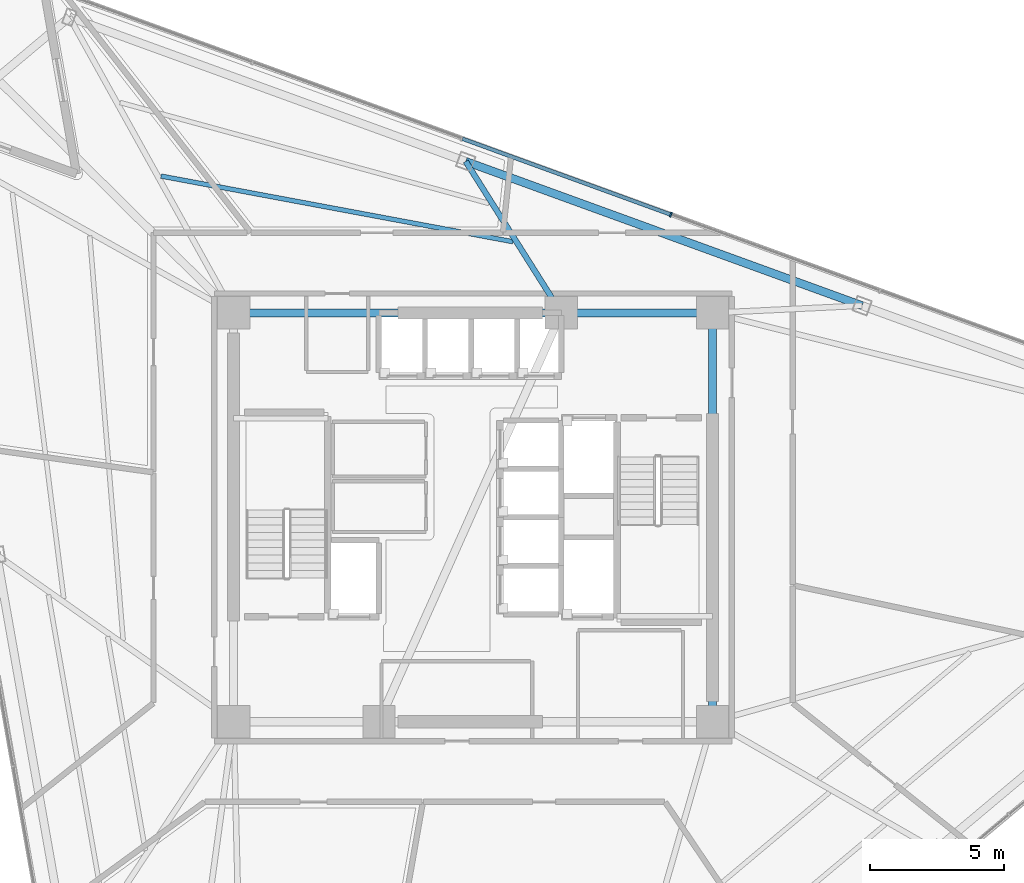
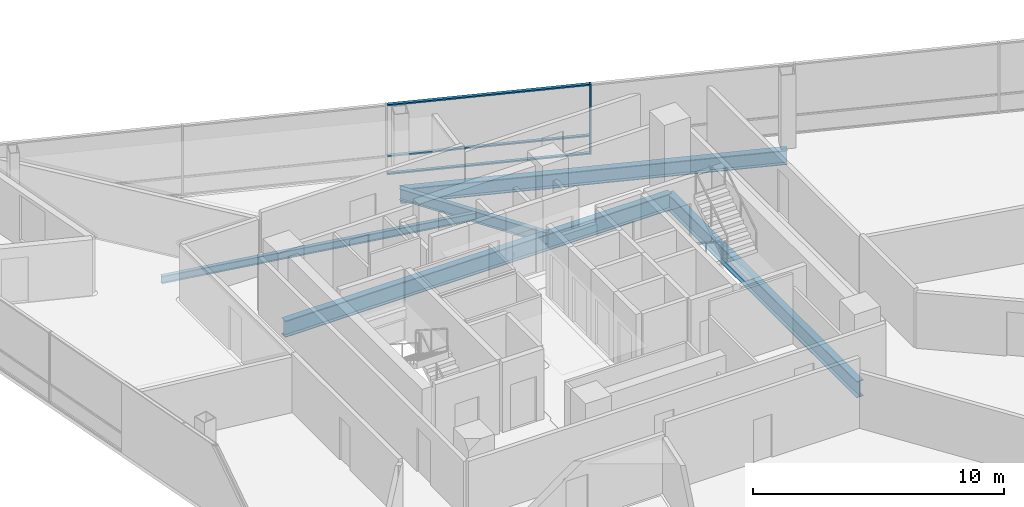
# One storey, part 6 of 16: 6 beams, 4 members, 1 element without a shape of its own.
"""IFC4 building model written with IfcOpenShell, lengths in metres."""

from ifc_helpers import new_model, si_unit, direction, frame, origin, origin_2d, place, context, subcontext, project, spatial, rectangle, i_section, extrude, material, layer, layer_set, material_profile, profile_set, type_object, element, aggregate, save


model = new_model("IFC4")

# Units and contexts
model_context = context("Model", 3, precision=1e-05, world=origin(), true_north=direction((0.0, 1.0)))
body_context = subcontext(model_context, "Body", "Model", "MODEL_VIEW")
ifc_project = project(units=[si_unit("LENGTHUNIT", "METRE"), si_unit("AREAUNIT", "SQUARE_METRE"), si_unit("VOLUMEUNIT", "CUBIC_METRE"), si_unit("PLANEANGLEUNIT", "RADIAN"), si_unit("MASSUNIT", "GRAM", prefix="KILO")], contexts=[model_context])

# Site, building, storey
site_placement = place(None, origin())
site = spatial("IfcSite", under=ifc_project, at=site_placement, CompositionType="ELEMENT")
building_placement = place(site_placement, origin())
building = spatial("IfcBuilding", under=site, at=building_placement, Name="Tharavind Bronze Gate", CompositionType="ELEMENT")
storey_placement = place(building_placement, frame((0.0, 0.0, 170.5)))
storey = spatial("IfcBuildingStorey", under=building, at=storey_placement, Name="L43", CompositionType="ELEMENT", Elevation=170.5)

# Curtain wall, members
ifc_material_1 = material(Name="Anodised Bronze Aluminium", Category="aluminium")
ifc_layer = layer(ifc_material_1, 0.219970703125)
ifc_layer_set = layer_set([ifc_layer], Name="Anodised Bronze Aluminium")
curtain_wall_type = type_object("IfcCurtainWallType", Name="UNITISED CURTAIN WALL MID OFFICE", PredefinedType="USERDEFINED", material=ifc_layer_set)
curtain_wall_placement = place(storey_placement, origin())
curtain_wall = element("IfcCurtainWall", 1, at=curtain_wall_placement, inside=storey, type_object=curtain_wall_type, Name="L43 unitised curtain wall mid office CW-L43-S3", ObjectType="UNITISED CURTAIN WALL", PredefinedType="USERDEFINED")
member_type_1 = type_object("IfcMemberType", Name="CURTAIN WALL BRONZE MULLION 65X180", PredefinedType="MULLION", material=ifc_material_1)
member_1_placement = place(storey_placement, frame((7.35009765625, 11.25439453125, 0.0), z_axis=(0.0, 0.0, 1.0), x_axis=(-0.939692023847, 0.342021783398, 0.0)))
member_1 = element("IfcMember", 2, at=member_1_placement, type_object=member_type_1, Name="CW-L43-S3 mullion 4", PredefinedType="MULLION", context=body_context, shape_type="SweptSolid", body=[
    extrude(rectangle(XDim=0.06494140625, YDim=0.179931640625, at=origin_2d()), origin(), (0.0, 0.0, 1.0), 3.419921875),
])
member_type_2 = type_object("IfcMemberType", Name="CURTAIN WALL BRONZE TRANSOM 65X140", PredefinedType="USERDEFINED", material=ifc_material_1)
member_2_placement = place(storey_placement, frame((3.462890625, 12.669189453125, 0.0), z_axis=(0.0, 0.0, 1.0), x_axis=(-0.939692023847, 0.342021783398, 0.0)))
member_2 = element("IfcMember", 3, at=member_2_placement, type_object=member_type_2, Name="CW-L43-S3 transom TB4", ObjectType="TRANSOM", PredefinedType="USERDEFINED", context=body_context, shape_type="SweptSolid", body=[
    extrude(rectangle(XDim=8.220458984375, YDim=0.139892578125, at=origin_2d()), origin(), (0.0, 0.0, 1.0), 0.06494140625),
])
member_3_placement = place(storey_placement, frame((3.462890625, 12.669189453125, 0.867431640625), z_axis=(0.0, 0.0, 1.0), x_axis=(-0.939692023847, 0.342021783398, 0.0)))
member_3 = element("IfcMember", 4, at=member_3_placement, type_object=member_type_2, Name="CW-L43-S3 transom TS4", ObjectType="TRANSOM", PredefinedType="USERDEFINED", context=body_context, shape_type="SweptSolid", body=[
    extrude(rectangle(XDim=8.220458984375, YDim=0.139892578125, at=origin_2d()), origin(), (0.0, 0.0, 1.0), 0.06494140625),
])
member_4_placement = place(storey_placement, frame((3.462890625, 12.669189453125, 3.35498046875), z_axis=(0.0, 0.0, 1.0), x_axis=(-0.939692023847, 0.342021783398, 0.0)))
member_4 = element("IfcMember", 5, at=member_4_placement, type_object=member_type_2, Name="CW-L43-S3 transom TT4", ObjectType="TRANSOM", PredefinedType="USERDEFINED", context=body_context, shape_type="SweptSolid", body=[
    extrude(rectangle(XDim=8.220458984375, YDim=0.139892578125, at=origin_2d()), origin(), (0.0, 0.0, 1.0), 0.06494140625),
])
aggregate(curtain_wall, [member_1, member_2, member_3, member_4])

# Beams
ifc_material_2 = material(Name="Steel S355", Category="steel")
ifc_material_profile_1 = material_profile(ifc_material_2, i_section(OverallWidth=0.2099609375, OverallDepth=0.550048828125, WebThickness=0.010986328125, FlangeThickness=0.01708984375, at=origin_2d()), Name="IPE550")
ifc_profile_set_1 = profile_set([ifc_material_profile_1], Name="Steel S355")
beam_type_1 = type_object("IfcBeamType", Name="PRIMARY GIRDER IPE550", PredefinedType="USERDEFINED", material=ifc_profile_set_1)
beam_1_placement = place(storey_placement, frame((-0.27392578125, 13.231201171875, -0.455078125), z_axis=(0.53372121288, -0.845660491522, 0.0), x_axis=(0.845660491522, 0.53372121288, 0.0)))
element("IfcBeam", 6, at=beam_1_placement, inside=storey, type_object=beam_type_1, Name="L43 primary girder ipe550 BM-L43-RAD11", ObjectType="GIRDER", PredefinedType="USERDEFINED", context=body_context, shape_type="SweptSolid", body=[
    extrude(i_section(OverallWidth=0.2099609375, OverallDepth=0.550048828125, WebThickness=0.010986328125, FlangeThickness=0.01708984375, at=origin_2d()), origin(), (0.0, 0.0, 1.0), 6.658935546875),
])
ifc_material_profile_2 = material_profile(ifc_material_2, i_section(OverallWidth=0.300048828125, OverallDepth=0.699951171875, WebThickness=0.01708984375, FlangeThickness=0.031982421875, at=origin_2d()), Name="HE700B")
ifc_profile_set_2 = profile_set([ifc_material_profile_2], Name="Steel S355")
beam_type_2 = type_object("IfcBeamType", Name="RING GIRDER HE700B", PredefinedType="USERDEFINED", material=ifc_profile_set_2)
beam_2_placement = place(storey_placement, frame((14.461181640625, 7.867919921875, -0.530029296875), z_axis=(-0.939689735949, 0.342028069246, 0.0), x_axis=(-0.342028069246, -0.939689735949, 0.0)))
element("IfcBeam", 7, at=beam_2_placement, inside=storey, type_object=beam_type_2, Name="L43 ring girder he700b BM-L43-PRG10", ObjectType="GIRDER", PredefinedType="USERDEFINED", context=body_context, shape_type="SweptSolid", body=[
    extrude(i_section(OverallWidth=0.300048828125, OverallDepth=0.699951171875, WebThickness=0.01708984375, FlangeThickness=0.031982421875, at=origin_2d()), origin(), (0.0, 0.0, 1.0), 15.680908203125),
])
ifc_material_profile_3 = material_profile(ifc_material_2, i_section(OverallWidth=0.300048828125, OverallDepth=0.800048828125, WebThickness=0.017578125, FlangeThickness=0.032958984375, at=origin_2d()), Name="HE800B")
ifc_profile_set_3 = profile_set([ifc_material_profile_3], Name="Steel S355")
beam_type_3 = type_object("IfcBeamType", Name="RING GIRDER HE800B", PredefinedType="USERDEFINED", material=ifc_profile_set_3)
beam_3_placement = place(storey_placement, frame((8.89990234375, -7.60009765625, -0.580078125), z_axis=(0.0, 1.0, 0.0), x_axis=(-1.0, 0.0, 0.0)))
element("IfcBeam", 8, at=beam_3_placement, inside=storey, type_object=beam_type_3, Name="L43 ring girder he800b BM-L43-CR3", ObjectType="GIRDER", PredefinedType="USERDEFINED", context=body_context, shape_type="SweptSolid", body=[
    extrude(i_section(OverallWidth=0.300048828125, OverallDepth=0.800048828125, WebThickness=0.017578125, FlangeThickness=0.032958984375, at=origin_2d()), origin(), (0.0, 0.0, 1.0), 15.2001953125),
])
beam_4_placement = place(storey_placement, frame((8.89990234375, 7.60009765625, -0.580078125), z_axis=(-1.0, 0.0, 0.0), x_axis=(0.0, -1.0, 0.0)))
element("IfcBeam", 9, at=beam_4_placement, inside=storey, type_object=beam_type_3, Name="L43 ring girder he800b BM-L43-CR4", ObjectType="GIRDER", PredefinedType="USERDEFINED", context=body_context, shape_type="SweptSolid", body=[
    extrude(i_section(OverallWidth=0.300048828125, OverallDepth=0.800048828125, WebThickness=0.017578125, FlangeThickness=0.032958984375, at=origin_2d()), origin(), (0.0, 0.0, 1.0), 5.619873046875),
])
beam_5_placement = place(storey_placement, frame((3.280029296875, 7.60009765625, -0.580078125), z_axis=(-1.0, 0.0, 0.0), x_axis=(0.0, -1.0, 0.0)))
element("IfcBeam", 10, at=beam_5_placement, inside=storey, type_object=beam_type_3, Name="L43 ring girder he800b BM-L43-CR5", ObjectType="GIRDER", PredefinedType="USERDEFINED", context=body_context, shape_type="SweptSolid", body=[
    extrude(i_section(OverallWidth=0.300048828125, OverallDepth=0.800048828125, WebThickness=0.017578125, FlangeThickness=0.032958984375, at=origin_2d()), origin(), (0.0, 0.0, 1.0), 12.179931640625),
])
ifc_material_profile_4 = material_profile(ifc_material_2, i_section(OverallWidth=0.169921875, OverallDepth=0.360107421875, WebThickness=0.008056640625, FlangeThickness=0.0126953125, at=origin_2d()), Name="IPE360")
ifc_profile_set_4 = profile_set([ifc_material_profile_4], Name="Steel S355")
beam_type_4 = type_object("IfcBeamType", Name="SECONDARY FLOOR JOIST IPE360", PredefinedType="JOIST", material=ifc_profile_set_4)
beam_6_placement = place(storey_placement, frame((1.48291015625, 10.245361328125, -0.360107421875), z_axis=(-0.98304057782, 0.183388173989, 0.0), x_axis=(-0.183388173989, -0.98304057782, 0.0)))
element("IfcBeam", 11, at=beam_6_placement, inside=storey, type_object=beam_type_4, Name="L43 secondary floor joist ipe360 BM-L43-JSTA11", PredefinedType="JOIST", context=body_context, shape_type="SweptSolid", body=[
    extrude(i_section(OverallWidth=0.169921875, OverallDepth=0.360107421875, WebThickness=0.008056640625, FlangeThickness=0.0126953125, at=origin_2d()), origin(), (0.0, 0.0, 1.0), 13.3115234375),
])

save(model, "model.ifc")
